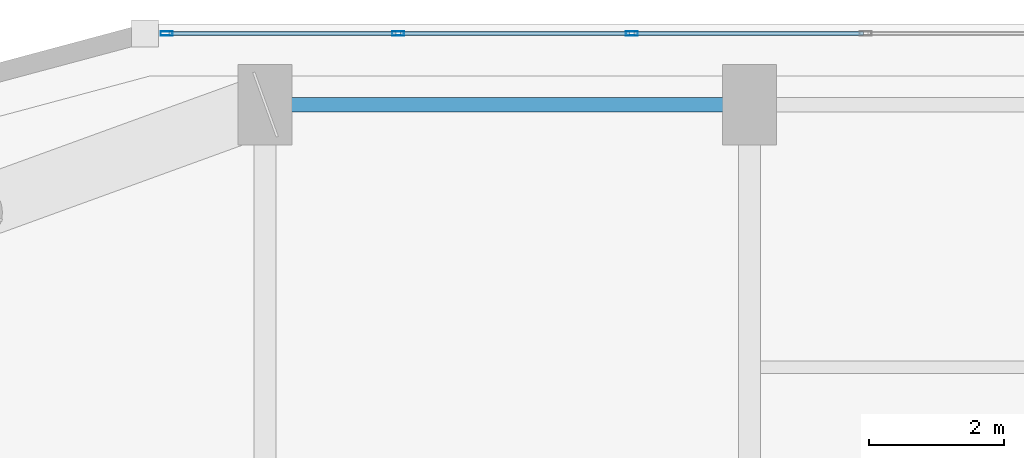
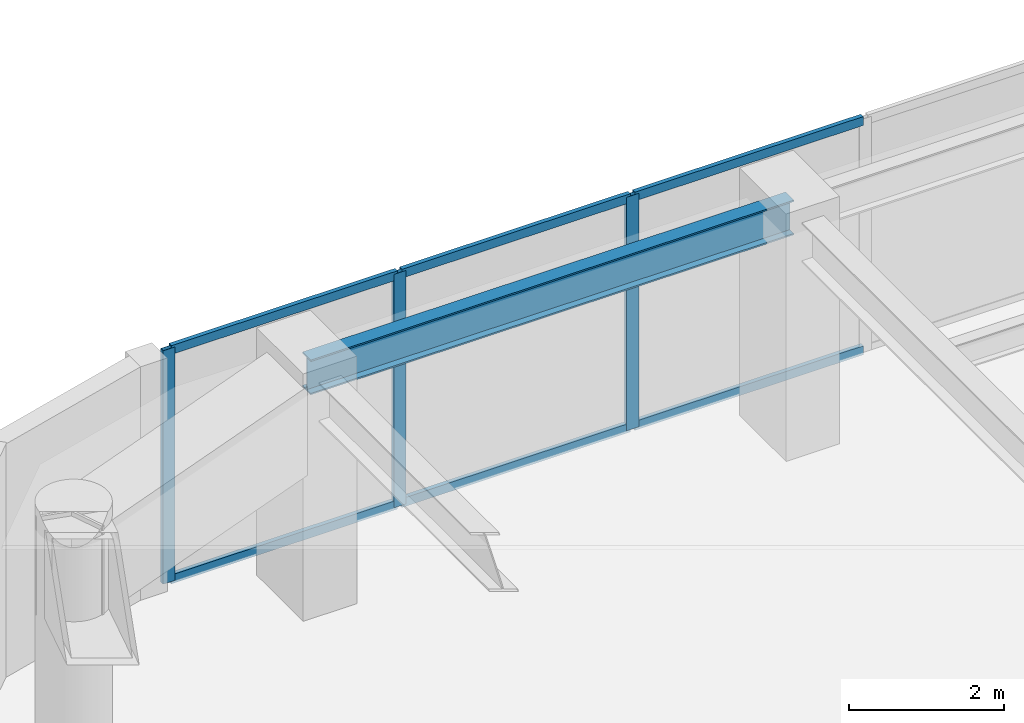
# One storey, part 13 of 26: 9 members, 1 beam, 1 element without a shape of its own.
"""IFC4 building model written with IfcOpenShell, lengths in metres."""

import ifcopenshell
import ifcopenshell.guid

model = None  # the IFC model being written
_history = None  # IfcOwnerHistory: only IFC2X3 demands one
_inside = {}  # id of a spatial element -> (the spatial element, [elements in it])
_under = {}  # id of a project, library or spatial element -> (it, [spatial elements below it])
_declared = {}  # id of a project -> (the project, [libraries it declares])
_typed = {}  # id of a type object -> (the type object, [elements of that type])
_made_of = {}  # id of a material, layer set ... -> (it, [elements and type objects made of it])


def new_model(schema):
    """Start an empty IFC model of exactly this schema.

    Asked for "IFC4X3", IfcOpenShell would pick the latest addendum, in which some entities
    have other attributes; the version numbers below select the first issue.
    IFC2X3 requires an IfcOwnerHistory on every rooted entity: one is made here for all.
    """
    global model, _history
    if schema == "IFC4X3":
        model = ifcopenshell.file(schema_version=(4, 3, 0, 0))
    else:
        model = ifcopenshell.file(schema=schema)
    _inside.clear()
    _under.clear()
    _declared.clear()
    _typed.clear()
    _made_of.clear()
    _history = None
    if model.schema == "IFC2X3":
        org = make("IfcOrganization", Name="unknown")
        user = make(
            "IfcPersonAndOrganization",
            ThePerson=make("IfcPerson", FamilyName="unknown"),
            TheOrganization=org,
        )
        app = make(
            "IfcApplication",
            ApplicationDeveloper=org,
            Version="unknown",
            ApplicationFullName="unknown",
            ApplicationIdentifier="unknown",
        )
        _history = make(
            "IfcOwnerHistory",
            OwningUser=user,
            OwningApplication=app,
            ChangeAction="ADDED",
            CreationDate=0,
        )
    return model


def make(cls, **values):
    """One entity of the class cls with the attributes given. An attribute that is None is left unset."""
    return model.create_entity(
        cls, **{name: value for name, value in values.items() if value is not None}
    )


def rooted(cls, **values):
    """An entity with a GlobalId (a new one), such as an element, a storey or a relation."""
    return make(cls, GlobalId=ifcopenshell.guid.new(), OwnerHistory=_history, **values)


def si_unit(unit_type, name, prefix=None):
    """IfcSIUnit, for example si_unit("LENGTHUNIT", "METRE", prefix="MILLI")."""
    return make("IfcSIUnit", UnitType=unit_type, Prefix=prefix, Name=name)


def assignment(units):
    """IfcUnitAssignment: the units of a project."""
    return None if units is None else make("IfcUnitAssignment", Units=units)


def point(xyz):
    """IfcCartesianPoint."""
    return None if xyz is None else make("IfcCartesianPoint", Coordinates=xyz)


def direction(xyz):
    """IfcDirection."""
    return None if xyz is None else make("IfcDirection", DirectionRatios=xyz)


def frame(location, z_axis=None, x_axis=None):
    """IfcAxis2Placement3D, a coordinate frame: its origin and axes. An axis left out is left unset."""
    return make(
        "IfcAxis2Placement3D",
        Location=point(location),
        Axis=direction(z_axis),
        RefDirection=direction(x_axis),
    )


def frame_2d(location, x_axis=None):
    """IfcAxis2Placement2D, a coordinate frame in the plane: its origin and x axis."""
    return make(
        "IfcAxis2Placement2D", Location=point(location), RefDirection=direction(x_axis)
    )


def origin():
    """The frame at (0, 0, 0) with its axes left unset."""
    return frame((0.0, 0.0, 0.0))


def origin_2d():
    """The frame at (0, 0) in the plane with its x axis left unset."""
    return frame_2d((0.0, 0.0))


def place(relative_to, where):
    """IfcLocalPlacement: puts the frame where relative to a parent placement (None: the world)."""
    return make(
        "IfcLocalPlacement", PlacementRelTo=relative_to, RelativePlacement=where
    )


def context(
    kind, dimensions, precision=None, world=None, true_north=None, identifier=None
):
    """IfcGeometricRepresentationContext, for example the 3D "Model" context."""
    return make(
        "IfcGeometricRepresentationContext",
        ContextIdentifier=identifier,
        ContextType=kind,
        CoordinateSpaceDimension=dimensions,
        Precision=precision,
        WorldCoordinateSystem=world,
        TrueNorth=true_north,
    )


def subcontext(parent, identifier, kind, view, scale=None):
    """IfcGeometricRepresentationSubContext, for example "Body" below "Model"."""
    return make(
        "IfcGeometricRepresentationSubContext",
        ContextIdentifier=identifier,
        ContextType=kind,
        ParentContext=parent,
        TargetScale=scale,
        TargetView=view,
    )


def project(units=None, contexts=None):
    """IfcProject with its units and contexts."""
    return rooted(
        "IfcProject",
        Name="project",
        RepresentationContexts=contexts,
        UnitsInContext=assignment(units),
    )


def spatial(cls, under=None, at=None, **own):
    """A site, building, storey or space (cls), placed at a placement, below another one or the project."""
    s = rooted(cls, ObjectPlacement=at, **own)
    if under is not None:
        _under.setdefault(under.id(), (under, []))[1].append(s)
    return s


def profile(cls, at=None, kind="AREA", **sizes):
    """A parametric profile (cls). Its sizes go by their IFC names, for example OverallWidth=200.0."""
    return make(cls, ProfileType=kind, Position=at, **sizes)


def hollow_rectangle(**sizes):
    """IfcRectangleHollowProfileDef."""
    return profile("IfcRectangleHollowProfileDef", **sizes)


def i_section(**sizes):
    """IfcIShapeProfileDef."""
    return profile("IfcIShapeProfileDef", **sizes)


def extrude(swept, where, along, depth):
    """IfcExtrudedAreaSolid: the profile swept, set in the frame where, extruded along a direction by depth."""
    return make(
        "IfcExtrudedAreaSolid",
        SweptArea=swept,
        Position=where,
        ExtrudedDirection=direction(along),
        Depth=depth,
    )


def shape(context_of_items, identifier, shape_type, items):
    """IfcShapeRepresentation: the items that make up one representation, for example the "Body"."""
    return make(
        "IfcShapeRepresentation",
        ContextOfItems=context_of_items,
        RepresentationIdentifier=identifier,
        RepresentationType=shape_type,
        Items=items,
    )


def material(Name=None, Category=None):
    """IfcMaterial."""
    return make("IfcMaterial", Name=Name, Category=Category)


def layer(
    of_material, thickness, ventilated=None, Name=None, Category=None, Priority=None
):
    """IfcMaterialLayer: one layer of a wall or slab, of a material (None: an air gap)."""
    return make(
        "IfcMaterialLayer",
        Material=of_material,
        LayerThickness=thickness,
        IsVentilated=ventilated,
        Name=Name,
        Category=Category,
        Priority=Priority,
    )


def layer_set(layers, Name=None):
    """IfcMaterialLayerSet."""
    return make("IfcMaterialLayerSet", MaterialLayers=layers, LayerSetName=Name)


def material_profile(
    of_material, cross_section, Name=None, Category=None, Priority=None
):
    """IfcMaterialProfile: a cross section and its material."""
    return make(
        "IfcMaterialProfile",
        Name=Name,
        Material=of_material,
        Profile=cross_section,
        Priority=Priority,
        Category=Category,
    )


def profile_set(profiles, Name=None, composite=None):
    """IfcMaterialProfileSet."""
    return make(
        "IfcMaterialProfileSet",
        Name=Name,
        MaterialProfiles=profiles,
        CompositeProfile=composite,
    )


def made_of(thing, what):
    """Note that an element or type object is made of a material, layer set ...; save() writes the relation."""
    if what is not None:
        _made_of.setdefault(what.id(), (what, []))[1].append(thing)
    return thing


def type_object(cls, material=None, **own):
    """A type object (cls), such as IfcWallType, which elements share."""
    return made_of(rooted(cls, **own), material)


def element(
    cls,
    number,
    at=None,
    inside=None,
    cuts=None,
    type_object=None,
    material=None,
    context=None,
    identifier="Body",
    shape_type=None,
    held_by="IfcProductDefinitionShape",
    body=None,
    shapes=None,
    **own,
):
    """One element of the class cls, such as IfcWall. Its Tag is "e" and its number.

    at: its placement. inside: the storey or other place that contains it. cuts: it is an
    opening in that element (IfcRelVoidsElement). A single representation is given by context,
    identifier, shape_type and body (its items); several are given by shapes. held_by: the class
    of the entity that holds the representations. save() writes the other relations.
    """
    e = rooted(cls, Tag="e%d" % number, ObjectPlacement=at, **own)
    if body is not None:
        shapes = [shape(context, identifier, shape_type, body)]
    if shapes is not None:
        e.Representation = make(held_by, Representations=shapes)
    if inside is not None:
        _inside.setdefault(inside.id(), (inside, []))[1].append(e)
    if cuts is not None:
        rooted(
            "IfcRelVoidsElement", RelatingBuildingElement=cuts, RelatedOpeningElement=e
        )
    if type_object is not None:
        _typed.setdefault(type_object.id(), (type_object, []))[1].append(e)
    return made_of(e, material)


def aggregate(whole, parts):
    """IfcRelAggregates: a whole, such as a stair, and the parts it consists of."""
    return rooted("IfcRelAggregates", RelatingObject=whole, RelatedObjects=parts)


def save(model, path):
    """Write the relations noted so far, then the file.

    IfcRelAggregates (storeys below a building ...), IfcRelContainedInSpatialStructure (elements
    in a storey), IfcRelDefinesByType, IfcRelAssociatesMaterial and IfcRelDeclares: one each for
    every whole, place, type object, material and project.
    """
    for whole, parts in _under.values():
        aggregate(whole, parts)
    for where, things in _inside.values():
        rooted(
            "IfcRelContainedInSpatialStructure",
            RelatedElements=things,
            RelatingStructure=where,
        )
    for kind, things in _typed.values():
        rooted("IfcRelDefinesByType", RelatedObjects=things, RelatingType=kind)
    for what, things in _made_of.values():
        rooted("IfcRelAssociatesMaterial", RelatedObjects=things, RelatingMaterial=what)
    for by, libraries in _declared.values():
        rooted("IfcRelDeclares", RelatingContext=by, RelatedDefinitions=libraries)
    model.write(path)


model = new_model("IFC4")

# Units and contexts
model_context = context("Model", 3, precision=1e-05, world=origin(), true_north=direction((0.0, 1.0)))
body_context = subcontext(model_context, "Body", "Model", "MODEL_VIEW")
ifc_project = project(units=[si_unit("LENGTHUNIT", "METRE"), si_unit("AREAUNIT", "SQUARE_METRE"), si_unit("VOLUMEUNIT", "CUBIC_METRE"), si_unit("PLANEANGLEUNIT", "RADIAN"), si_unit("MASSUNIT", "GRAM", prefix="KILO")], contexts=[model_context])

# Site, building, storey
site_placement = place(None, origin())
site = spatial("IfcSite", under=ifc_project, at=site_placement, CompositionType="ELEMENT")
building_placement = place(site_placement, origin())
building = spatial("IfcBuilding", under=site, at=building_placement, Name="Kiyonajd Concourse Tower", CompositionType="ELEMENT")
storey_placement = place(building_placement, frame((0.0, 0.0, 186.300048828125)))
storey = spatial("IfcBuildingStorey", under=building, at=storey_placement, Name="L47", CompositionType="ELEMENT", Elevation=186.300048828125)

# Beam
ifc_material_1 = material(Name="Steel ASTM A992 Grade 50", Category="steel")
ifc_material_profile_1 = material_profile(ifc_material_1, i_section(OverallWidth=0.214111328125, OverallDepth=0.549072265625, WebThickness=0.0146484375, FlangeThickness=0.023681640625, at=origin_2d()), Name="W530X138")
ifc_profile_set_1 = profile_set([ifc_material_profile_1], Name="Steel ASTM A992 Grade 50")
beam_type = type_object("IfcBeamType", Name="BM-SPAN-530A", PredefinedType="SPANDREL", material=ifc_profile_set_1)
beam_placement = place(storey_placement, frame((32.39990234375, 61.199951171875, 3.405517578125), z_axis=(-1.0, 0.0, 0.0), x_axis=(0.0, -1.0, 0.0)))
element("IfcBeam", 1, at=beam_placement, inside=storey, type_object=beam_type, Name="L47 Perimeter Bundled Tube Spandrel", PredefinedType="SPANDREL", context=body_context, shape_type="SweptSolid", body=[
    extrude(i_section(OverallWidth=0.214111328125, OverallDepth=0.549072265625, WebThickness=0.0146484375, FlangeThickness=0.023681640625, at=origin_2d()), origin(), (0.0, 0.0, 1.0), 7.199951171875),
])

# Curtain wall, members
ifc_material_2 = material(Name="Thermally Broken Anodised Aluminium", Category="aluminium")
ifc_layer = layer(ifc_material_2, 0.179931640625)
ifc_layer_set = layer_set([ifc_layer], Name="Thermally Broken Anodised Aluminium")
curtain_wall_type = type_object("IfcCurtainWallType", Name="CW-SYS-03", PredefinedType="NOTDEFINED", material=ifc_layer_set)
curtain_wall_placement = place(storey_placement, origin())
curtain_wall = element("IfcCurtainWall", 2, at=curtain_wall_placement, inside=storey, type_object=curtain_wall_type, Name="L47 Unitised Curtain Wall CW3", PredefinedType="NOTDEFINED")
ifc_material_profile_2 = material_profile(ifc_material_2, hollow_rectangle(XDim=0.06494140625, YDim=0.179931640625, WallThickness=0.00390625, at=origin_2d()), Name="MULL-65x180")
ifc_profile_set_2 = profile_set([ifc_material_profile_2], Name="Thermally Broken Anodised Aluminium")
member_type_1 = type_object("IfcMemberType", Name="MB-CW-MULL1", PredefinedType="MULLION", material=ifc_profile_set_2)
member_1_placement = place(storey_placement, frame((23.740966796875, 62.260009765625, 0.0), z_axis=(0.0, 0.0, 1.0), x_axis=(0.0, 1.0, 0.0)))
member_1 = element("IfcMember", 3, at=member_1_placement, type_object=member_type_1, Name="CW3 mullion 1", PredefinedType="MULLION", context=body_context, shape_type="SweptSolid", body=[
    extrude(hollow_rectangle(XDim=0.06494140625, YDim=0.179931640625, WallThickness=0.00390625, at=origin_2d()), origin(), (0.0, 0.0, 1.0), 3.679931640625),
])
member_2_placement = place(storey_placement, frame((27.180908203125, 62.260009765625, 0.0), z_axis=(0.0, 0.0, 1.0), x_axis=(0.0, 1.0, 0.0)))
member_2 = element("IfcMember", 4, at=member_2_placement, type_object=member_type_1, Name="CW3 mullion 2", PredefinedType="MULLION", context=body_context, shape_type="SweptSolid", body=[
    extrude(hollow_rectangle(XDim=0.06494140625, YDim=0.179931640625, WallThickness=0.00390625, at=origin_2d()), origin(), (0.0, 0.0, 1.0), 3.679931640625),
])
member_3_placement = place(storey_placement, frame((30.6533203125, 62.260009765625, 0.0), z_axis=(0.0, 0.0, 1.0), x_axis=(0.0, 1.0, 0.0)))
member_3 = element("IfcMember", 5, at=member_3_placement, type_object=member_type_1, Name="CW3 mullion 3", PredefinedType="MULLION", context=body_context, shape_type="SweptSolid", body=[
    extrude(hollow_rectangle(XDim=0.06494140625, YDim=0.179931640625, WallThickness=0.00390625, at=origin_2d()), origin(), (0.0, 0.0, 1.0), 3.679931640625),
])
ifc_material_profile_3 = material_profile(ifc_material_2, hollow_rectangle(XDim=0.06494140625, YDim=0.139892578125, WallThickness=0.00390625, at=origin_2d()), Name="TRAN-65x140")
ifc_profile_set_3 = profile_set([ifc_material_profile_3], Name="Thermally Broken Anodised Aluminium")
member_type_2 = type_object("IfcMemberType", Name="MB-CW-TRAN1", PredefinedType="USERDEFINED", material=ifc_profile_set_3)
member_4_placement = place(storey_placement, frame((23.7734375, 62.260009765625, 0.032470703125), z_axis=(1.0, 0.0, 0.0), x_axis=(0.0, 1.0, 0.0)))
member_4 = element("IfcMember", 6, at=member_4_placement, type_object=member_type_2, Name="CW3 transom 1.1", ObjectType="TRANSOM", PredefinedType="USERDEFINED", context=body_context, shape_type="SweptSolid", body=[
    extrude(hollow_rectangle(XDim=0.06494140625, YDim=0.139892578125, WallThickness=0.00390625, at=origin_2d()), origin(), (0.0, 0.0, 1.0), 3.374755859375),
])
member_5_placement = place(storey_placement, frame((23.7734375, 62.260009765625, 3.6474609375), z_axis=(1.0, 0.0, 0.0), x_axis=(0.0, 1.0, 0.0)))
member_5 = element("IfcMember", 7, at=member_5_placement, type_object=member_type_2, Name="CW3 transom 1.2", ObjectType="TRANSOM", PredefinedType="USERDEFINED", context=body_context, shape_type="SweptSolid", body=[
    extrude(hollow_rectangle(XDim=0.06494140625, YDim=0.139892578125, WallThickness=0.00390625, at=origin_2d()), origin(), (0.0, 0.0, 1.0), 3.374755859375),
])
member_6_placement = place(storey_placement, frame((27.21337890625, 62.260009765625, 0.032470703125), z_axis=(1.0, 0.0, 0.0), x_axis=(0.0, 1.0, 0.0)))
member_6 = element("IfcMember", 8, at=member_6_placement, type_object=member_type_2, Name="CW3 transom 2.1", ObjectType="TRANSOM", PredefinedType="USERDEFINED", context=body_context, shape_type="SweptSolid", body=[
    extrude(hollow_rectangle(XDim=0.06494140625, YDim=0.139892578125, WallThickness=0.00390625, at=origin_2d()), origin(), (0.0, 0.0, 1.0), 3.4072265625),
])
member_7_placement = place(storey_placement, frame((27.21337890625, 62.260009765625, 3.6474609375), z_axis=(1.0, 0.0, 0.0), x_axis=(0.0, 1.0, 0.0)))
member_7 = element("IfcMember", 9, at=member_7_placement, type_object=member_type_2, Name="CW3 transom 2.2", ObjectType="TRANSOM", PredefinedType="USERDEFINED", context=body_context, shape_type="SweptSolid", body=[
    extrude(hollow_rectangle(XDim=0.06494140625, YDim=0.139892578125, WallThickness=0.00390625, at=origin_2d()), origin(), (0.0, 0.0, 1.0), 3.4072265625),
])
member_8_placement = place(storey_placement, frame((30.685791015625, 62.260009765625, 0.032470703125), z_axis=(1.0, 0.0, 0.0), x_axis=(0.0, 1.0, 0.0)))
member_8 = element("IfcMember", 10, at=member_8_placement, type_object=member_type_2, Name="CW3 transom 3.1", ObjectType="TRANSOM", PredefinedType="USERDEFINED", context=body_context, shape_type="SweptSolid", body=[
    extrude(hollow_rectangle(XDim=0.06494140625, YDim=0.139892578125, WallThickness=0.00390625, at=origin_2d()), origin(), (0.0, 0.0, 1.0), 3.4072265625),
])
member_9_placement = place(storey_placement, frame((30.685791015625, 62.260009765625, 3.6474609375), z_axis=(1.0, 0.0, 0.0), x_axis=(0.0, 1.0, 0.0)))
member_9 = element("IfcMember", 11, at=member_9_placement, type_object=member_type_2, Name="CW3 transom 3.2", ObjectType="TRANSOM", PredefinedType="USERDEFINED", context=body_context, shape_type="SweptSolid", body=[
    extrude(hollow_rectangle(XDim=0.06494140625, YDim=0.139892578125, WallThickness=0.00390625, at=origin_2d()), origin(), (0.0, 0.0, 1.0), 3.4072265625),
])
aggregate(curtain_wall, [member_1, member_2, member_3, member_4, member_5, member_6, member_7, member_8, member_9])

save(model, "model.ifc")
